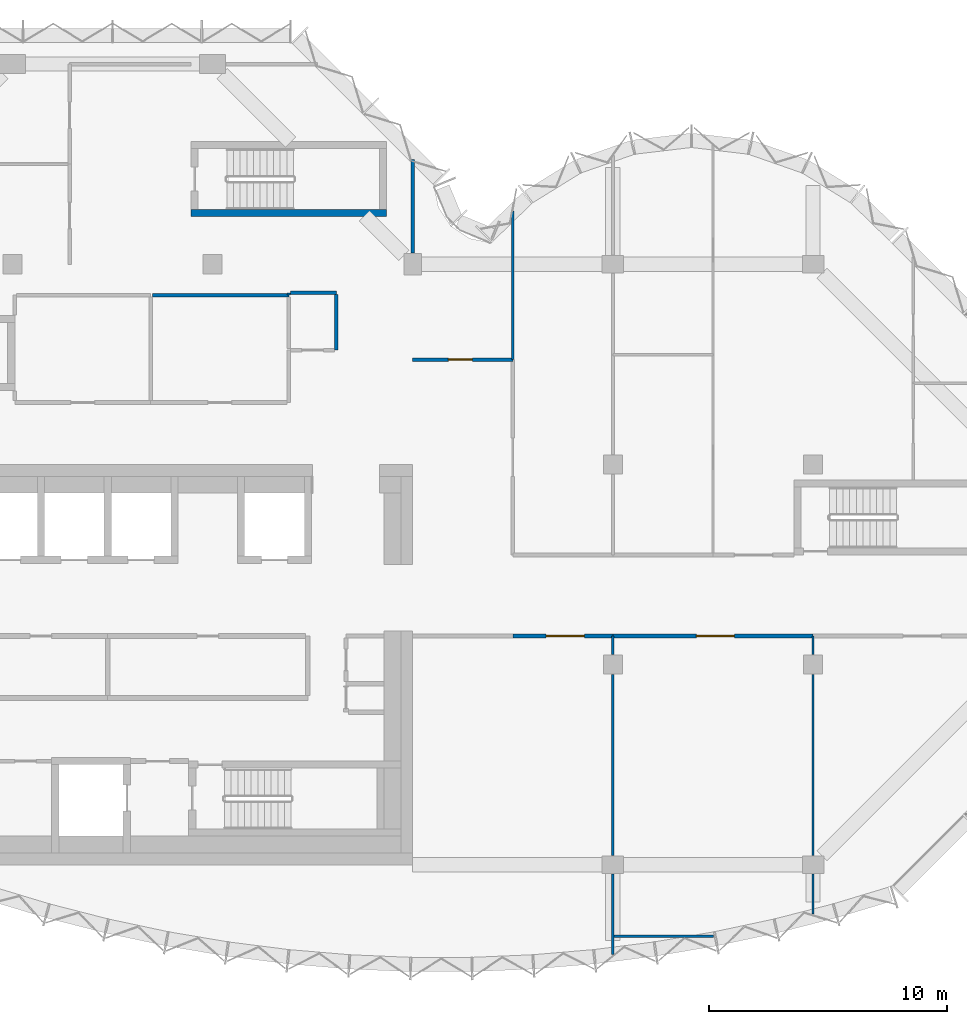
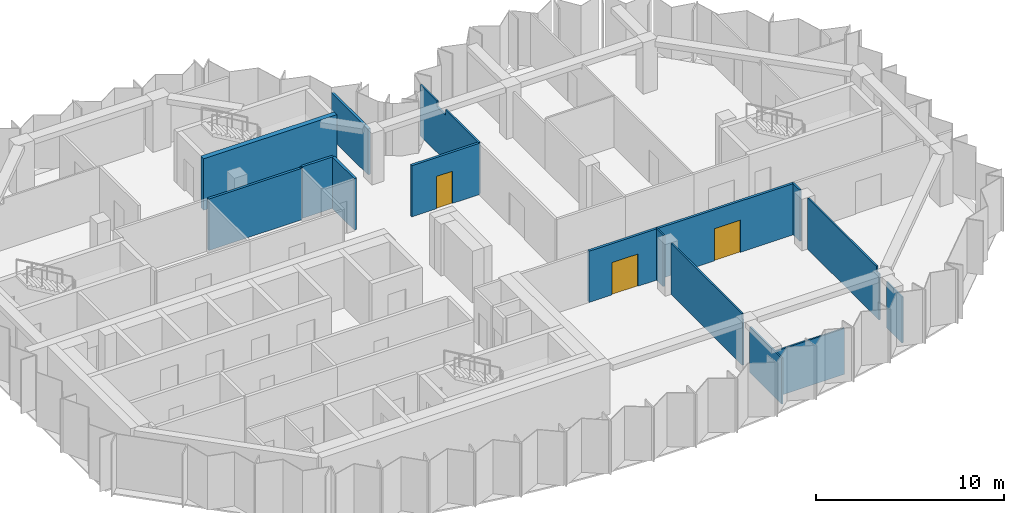
# One storey, part 6 of 10: 17 walls, 3 doors, 3 openings.
"""IFC4 building model written with IfcOpenShell, lengths in metres."""

from ifc_helpers import new_model, si_unit, direction, frame, frame_2d, origin, place, context, subcontext, project, spatial, polyline, rectangle, outline, extrude, material, layer, layer_set, type_object, element, fill, save


model = new_model("IFC4")

# Units and contexts
model_context = context("Model", 3, precision=1e-05, world=origin(), true_north=direction((0.0, 1.0)))
body_context = subcontext(model_context, "Body", "Model", "MODEL_VIEW")
ifc_project = project(units=[si_unit("LENGTHUNIT", "METRE"), si_unit("AREAUNIT", "SQUARE_METRE"), si_unit("VOLUMEUNIT", "CUBIC_METRE"), si_unit("PLANEANGLEUNIT", "RADIAN"), si_unit("MASSUNIT", "GRAM", prefix="KILO")], contexts=[model_context])

# Site, building, storey
site_placement = place(None, origin())
site = spatial("IfcSite", under=ifc_project, at=site_placement, CompositionType="ELEMENT")
building_placement = place(site_placement, origin())
building = spatial("IfcBuilding", under=site, at=building_placement, Name="Brevane Broadcast Tower", CompositionType="ELEMENT")
storey_placement = place(building_placement, frame((0.0, 0.0, 237.300048828125)))
storey = spatial("IfcBuildingStorey", under=building, at=storey_placement, Name="L60", CompositionType="ELEMENT", Elevation=237.300048828125)

# Walls
ifc_material_1 = material(Name="Gypsum board on steel studs", Category="steel")
ifc_layer_1 = layer(ifc_material_1, 0.14990234375)
ifc_layer_set_1 = layer_set([ifc_layer_1], Name="Core fire partition 150 mm")
wall_type_1 = type_object("IfcWallType", Name="Core fire partition 150 mm", PredefinedType="PARTITIONING", material=ifc_layer_set_1)
wall_1_placement = place(storey_placement, frame((14.27490234375, 23.89990234375, 0.0), z_axis=(0.0, 0.0, 1.0), x_axis=(1.0, 0.0, 0.0)))
element("IfcWall", 1, at=wall_1_placement, inside=storey, type_object=wall_type_1, Name="L60 partition wall P29", PredefinedType="PARTITIONING", context=body_context, shape_type="SweptSolid", body=[
    extrude(rectangle(XDim=5.72509765625, YDim=0.14990234375, at=frame_2d((2.862548828125, 0.0))), origin(), (0.0, 0.0, 1.0), 3.349853515625),
])
wall_2_placement = place(storey_placement, frame((20.0, 23.89990234375, 0.0), z_axis=(0.0, 0.0, 1.0), x_axis=(0.0, 1.0, 0.0)))
element("IfcWall", 2, at=wall_2_placement, inside=storey, type_object=wall_type_1, Name="L60 partition wall P30", PredefinedType="PARTITIONING", context=body_context, shape_type="SweptSolid", body=[
    extrude(rectangle(XDim=0.10009765625, YDim=0.14990234375, at=frame_2d((0.050048828125, 0.0))), origin(), (0.0, 0.0, 1.0), 3.349853515625),
])
wall_3_placement = place(storey_placement, frame((20.074951171875, 24.0, 0.0), z_axis=(0.0, 0.0, 1.0), x_axis=(1.0, 0.0, 0.0)))
element("IfcWall", 3, at=wall_3_placement, inside=storey, type_object=wall_type_1, Name="L60 partition wall P31", PredefinedType="PARTITIONING", context=body_context, shape_type="SweptSolid", body=[
    extrude(rectangle(XDim=1.925048828125, YDim=0.14990234375, at=frame_2d((0.96240234375, 0.0))), origin(), (0.0, 0.0, 1.0), 3.349853515625),
])
wall_4_placement = place(storey_placement, frame((22.0, 23.925048828125, 0.0), z_axis=(0.0, 0.0, 1.0), x_axis=(0.0, -1.0, 0.0)))
element("IfcWall", 4, at=wall_4_placement, inside=storey, type_object=wall_type_1, Name="L60 partition wall P32", PredefinedType="PARTITIONING", context=body_context, shape_type="SweptSolid", body=[
    extrude(rectangle(XDim=2.324951171875, YDim=0.14990234375, at=frame_2d((1.16259765625, 0.0))), origin(), (0.0, 0.0, 1.0), 3.349853515625),
])
ifc_material_2 = material(Name="Concrete C50/60", Category="concrete")
ifc_layer_2 = layer(ifc_material_2, 0.300048828125)
ifc_layer_set_2 = layer_set([ifc_layer_2], Name="Core wall 300 mm C50/60")
wall_type_2 = type_object("IfcWallType", Name="Core wall 300 mm C50/60", PredefinedType="SHEAR", material=ifc_layer_set_2)
wall_5_placement = place(storey_placement, frame((15.89990234375, 27.35009765625, 0.0), z_axis=(0.0, 0.0, 1.0), x_axis=(1.0, 0.0, 0.0)))
element("IfcWall", 5, at=wall_5_placement, inside=storey, type_object=wall_type_2, Name="L60 stair wall ST-3-S", PredefinedType="SHEAR", context=body_context, shape_type="SweptSolid", body=[
    extrude(rectangle(XDim=8.2001953125, YDim=0.300048828125, at=frame_2d((4.10009765625, 0.0))), origin(), (0.0, 0.0, 1.0), 3.349853515625),
])
ifc_material_3 = material(Name="Gypsum board partition")
ifc_layer_3 = layer(ifc_material_3, 0.10009765625)
ifc_layer_set_3 = layer_set([ifc_layer_3], Name="PARTITION 100 STUD")
wall_type_3 = type_object("IfcWallType", Name="PARTITION 100 STUD", PredefinedType="PARTITIONING", material=ifc_layer_set_3)
wall_6_placement = place(storey_placement, frame((29.39990234375, 27.428955078125, 0.0), z_axis=(0.0, 0.0, 1.0), x_axis=(0.0, -1.0, 0.0)))
element("IfcWall", 6, at=wall_6_placement, inside=storey, type_object=wall_type_3, Name="Partition G18-004", PredefinedType="PARTITIONING", context=body_context, shape_type="SweptSolid", body=[
    extrude(outline(polyline([(0.0, 0.0), (6.22900390625, 0.0), (6.22900390625, 3.329833984375), (2.678955078125, 3.329833984375), (2.677001953125, 2.97998046875), (1.781005859375, 2.97998046875), (1.779052734375, 3.329833984375), (0.154052734375, 3.329833984375), (0.0, 3.329833984375), (0.0, 0.0)])), frame((0.0, 0.050048828125, 0.0), z_axis=(0.0, -1.0, 0.0), x_axis=(1.0, 0.0, 0.0)), (0.0, 0.0, 1.0), 0.10009765625),
])
wall_7_placement = place(storey_placement, frame((33.60009765625, 9.60009765625, 0.0), z_axis=(0.0, 0.0, 1.0), x_axis=(0.0, -1.0, 0.0)))
element("IfcWall", 7, at=wall_7_placement, inside=storey, type_object=wall_type_3, Name="Partition G18-013", PredefinedType="PARTITIONING", context=body_context, shape_type="SweptSolid", body=[
    extrude(rectangle(XDim=0.780029296875, YDim=0.10009765625, at=frame_2d((0.39013671875, 0.0))), origin(), (0.0, 0.0, 1.0), 3.329833984375),
])
wall_8_placement = place(storey_placement, frame((33.60009765625, 7.97998046875, 0.0), z_axis=(0.0, 0.0, 1.0), x_axis=(0.0, -1.0, 0.0)))
element("IfcWall", 8, at=wall_8_placement, inside=storey, type_object=wall_type_3, Name="Partition G18-014", PredefinedType="PARTITIONING", context=body_context, shape_type="SweptSolid", body=[
    extrude(outline(polyline([(0.0, 0.0), (7.5849609375, 0.0), (7.5849609375, 2.97998046875), (7.531982421875, 2.97998046875), (7.530029296875, 3.329833984375), (0.0, 3.329833984375), (0.0, 0.0)])), frame((0.0, 0.050048828125, 0.0), z_axis=(0.0, -1.0, 0.0), x_axis=(1.0, 0.0, 0.0)), (0.0, 0.0, 1.0), 0.10009765625),
])
wall_9_placement = place(storey_placement, frame((33.60009765625, -0.39501953125, 0.0), z_axis=(0.0, 0.0, 1.0), x_axis=(0.0, -1.0, 0.0)))
element("IfcWall", 9, at=wall_9_placement, inside=storey, type_object=wall_type_3, Name="Partition G18-015", PredefinedType="PARTITIONING", context=body_context, shape_type="SweptSolid", body=[
    extrude(rectangle(XDim=3.377197265625, YDim=0.10009765625, at=frame_2d((1.6884765625, 0.0))), origin(), (0.0, 0.0, 1.0), 2.97998046875),
])
wall_10_placement = place(storey_placement, frame((33.60009765625, -3.0, 0.0), z_axis=(0.0, 0.0, 1.0), x_axis=(1.0, 0.0, 0.0)))
element("IfcWall", 10, at=wall_10_placement, inside=storey, type_object=wall_type_3, Name="Partition G18-016", PredefinedType="PARTITIONING", context=body_context, shape_type="SweptSolid", body=[
    extrude(rectangle(XDim=4.230712890625, YDim=0.10009765625, at=frame_2d((2.115234375, 0.0))), origin(), (0.0, 0.0, 1.0), 2.97998046875),
])
wall_11_placement = place(storey_placement, frame((42.0, 9.60009765625, 0.0), z_axis=(0.0, 0.0, 1.0), x_axis=(0.0, -1.0, 0.0)))
element("IfcWall", 11, at=wall_11_placement, inside=storey, type_object=wall_type_3, Name="Partition G18-017", PredefinedType="PARTITIONING", context=body_context, shape_type="SweptSolid", body=[
    extrude(rectangle(XDim=0.780029296875, YDim=0.10009765625, at=frame_2d((0.39013671875, 0.0))), origin(), (0.0, 0.0, 1.0), 3.329833984375),
])
wall_12_placement = place(storey_placement, frame((42.0, 7.97998046875, 0.0), z_axis=(0.0, 0.0, 1.0), x_axis=(0.0, -1.0, 0.0)))
element("IfcWall", 12, at=wall_12_placement, inside=storey, type_object=wall_type_3, Name="Partition G18-018", PredefinedType="PARTITIONING", context=body_context, shape_type="SweptSolid", body=[
    extrude(outline(polyline([(0.0, 0.0), (7.5849609375, 0.0), (7.5849609375, 2.97998046875), (7.31640625, 2.97998046875), (7.314208984375, 3.329833984375), (0.0, 3.329833984375), (0.0, 0.0)])), frame((0.0, 0.050048828125, 0.0), z_axis=(0.0, -1.0, 0.0), x_axis=(1.0, 0.0, 0.0)), (0.0, 0.0, 1.0), 0.10009765625),
])
wall_13_placement = place(storey_placement, frame((42.0, -0.39501953125, 0.0), z_axis=(0.0, 0.0, 1.0), x_axis=(0.0, -1.0, 0.0)))
element("IfcWall", 13, at=wall_13_placement, inside=storey, type_object=wall_type_3, Name="Partition G18-019", PredefinedType="PARTITIONING", context=body_context, shape_type="SweptSolid", body=[
    extrude(rectangle(XDim=1.673828125, YDim=0.10009765625, at=frame_2d((0.8369140625, 0.0))), origin(), (0.0, 0.0, 1.0), 2.97998046875),
])

# Wall, opening, door
ifc_layer_4 = layer(ifc_material_3, 0.14990234375)
ifc_layer_set_4 = layer_set([ifc_layer_4], Name="PARTITION 150 EI 60")
wall_type_4 = type_object("IfcWallType", Name="PARTITION 150 EI 60", PredefinedType="PARTITIONING", material=ifc_layer_set_4)
wall_14_placement = place(storey_placement, frame((25.199951171875, 21.199951171875, 0.0), z_axis=(0.0, 0.0, 1.0), x_axis=(1.0, 0.0, 0.0)))
wall_14 = element("IfcWall", 14, at=wall_14_placement, inside=storey, type_object=wall_type_4, Name="Partition G18-001", PredefinedType="PARTITIONING", context=body_context, shape_type="SweptSolid", body=[
    extrude(rectangle(XDim=4.199951171875, YDim=0.14990234375, at=frame_2d((2.10009765625, 0.0))), origin(), (0.0, 0.0, 1.0), 3.329833984375),
])
opening_1_placement = place(wall_14_placement, frame((1.5, 0.0, 0.0)))
opening_1 = element("IfcOpeningElement", 15, at=opening_1_placement, cuts=wall_14, Name="Opening D29-001", PredefinedType="OPENING", context=body_context, shape_type="SweptSolid", body=[
    extrude(rectangle(XDim=1.0, YDim=2.10009765625, at=frame_2d((0.5, 1.050048828125))), frame((0.0, 0.0849609375, 0.0), z_axis=(0.0, -1.0, 0.0), x_axis=(1.0, 0.0, 0.0)), (0.0, 0.0, 1.0), 0.169921875),
])
ifc_material_4 = material(Name="Fire-rated timber door leaf", Category="wood")
door_type_1 = type_object("IfcDoorType", Name="DOOR SINGLE 1000 FD30S", OperationType="SINGLE_SWING_LEFT", PredefinedType="DOOR", material=ifc_material_4)
door_1_placement = place(opening_1_placement, origin())
door_1 = element("IfcDoor", 16, at=door_1_placement, inside=storey, type_object=door_type_1, Name="Door D29-001", OperationType="SINGLE_SWING_LEFT", OverallHeight=2.10009765625, OverallWidth=1.0, PredefinedType="DOOR", context=body_context, shape_type="SweptSolid", body=[
    extrude(rectangle(XDim=1.0, YDim=2.10009765625, at=frame_2d((0.5, 1.050048828125))), frame((0.0, 0.02490234375, 0.0), z_axis=(0.0, -1.0, 0.0), x_axis=(1.0, 0.0, 0.0)), (0.0, 0.0, 1.0), 0.050048828125),
])
fill(opening_1, door_1)

# Wall
wall_15_placement = place(storey_placement, frame((25.199951171875, 25.669921875, 0.0), z_axis=(0.0, 0.0, 1.0), x_axis=(0.0, 1.0, 0.0)))
element("IfcWall", 17, at=wall_15_placement, inside=storey, type_object=wall_type_4, Name="Partition G18-005", PredefinedType="PARTITIONING", context=body_context, shape_type="SweptSolid", body=[
    extrude(rectangle(XDim=3.93017578125, YDim=0.14990234375, at=frame_2d((1.965087890625, 0.0))), origin(), (0.0, 0.0, 1.0), 2.97998046875),
])

# Wall, opening, door
wall_16_placement = place(storey_placement, frame((33.60009765625, 9.60009765625, 0.0), z_axis=(0.0, 0.0, 1.0), x_axis=(-1.0, 0.0, 0.0)))
wall_16 = element("IfcWall", 18, at=wall_16_placement, inside=storey, type_object=wall_type_4, Name="Partition G18-006", PredefinedType="PARTITIONING", context=body_context, shape_type="SweptSolid", body=[
    extrude(rectangle(XDim=4.2001953125, YDim=0.14990234375, at=frame_2d((2.10009765625, 0.0))), origin(), (0.0, 0.0, 1.0), 3.329833984375),
])
opening_2_placement = place(wall_16_placement, frame((1.199951171875, 0.0, 0.0)))
opening_2 = element("IfcOpeningElement", 19, at=opening_2_placement, cuts=wall_16, Name="Opening D29-002", PredefinedType="OPENING", context=body_context, shape_type="SweptSolid", body=[
    extrude(rectangle(XDim=1.60009765625, YDim=2.10009765625, at=frame_2d((0.800048828125, 1.050048828125))), frame((0.0, 0.0849609375, 0.0), z_axis=(0.0, -1.0, 0.0), x_axis=(1.0, 0.0, 0.0)), (0.0, 0.0, 1.0), 0.169921875),
])
door_type_2 = type_object("IfcDoorType", Name="DOOR DOUBLE 1600 FD30S", OperationType="DOUBLE_DOOR_SINGLE_SWING", PredefinedType="DOOR", material=ifc_material_4)
door_2_placement = place(opening_2_placement, origin())
door_2 = element("IfcDoor", 20, at=door_2_placement, inside=storey, type_object=door_type_2, Name="Door D29-002", OperationType="DOUBLE_DOOR_SINGLE_SWING", OverallHeight=2.10009765625, OverallWidth=1.60009765625, PredefinedType="DOOR", context=body_context, shape_type="SweptSolid", body=[
    extrude(rectangle(XDim=1.60009765625, YDim=2.10009765625, at=frame_2d((0.800048828125, 1.050048828125))), frame((0.0, 0.02490234375, 0.0), z_axis=(0.0, -1.0, 0.0), x_axis=(1.0, 0.0, 0.0)), (0.0, 0.0, 1.0), 0.050048828125),
])
fill(opening_2, door_2)

wall_17_placement = place(storey_placement, frame((42.0, 9.60009765625, 0.0), z_axis=(0.0, 0.0, 1.0), x_axis=(-1.0, 0.0, 0.0)))
wall_17 = element("IfcWall", 21, at=wall_17_placement, inside=storey, type_object=wall_type_4, Name="Partition G18-007", PredefinedType="PARTITIONING", context=body_context, shape_type="SweptSolid", body=[
    extrude(rectangle(XDim=8.39990234375, YDim=0.14990234375, at=frame_2d((4.199951171875, 0.0))), origin(), (0.0, 0.0, 1.0), 3.329833984375),
])
opening_3_placement = place(wall_17_placement, frame((3.300048828125, 0.0, 0.0)))
opening_3 = element("IfcOpeningElement", 22, at=opening_3_placement, cuts=wall_17, Name="Opening D29-003", PredefinedType="OPENING", context=body_context, shape_type="SweptSolid", body=[
    extrude(rectangle(XDim=1.60009765625, YDim=2.10009765625, at=frame_2d((0.800048828125, 1.050048828125))), frame((0.0, 0.0849609375, 0.0), z_axis=(0.0, -1.0, 0.0), x_axis=(1.0, 0.0, 0.0)), (0.0, 0.0, 1.0), 0.169921875),
])
door_3_placement = place(opening_3_placement, origin())
door_3 = element("IfcDoor", 23, at=door_3_placement, inside=storey, type_object=door_type_2, Name="Door D29-003", OperationType="DOUBLE_DOOR_SINGLE_SWING", OverallHeight=2.10009765625, OverallWidth=1.60009765625, PredefinedType="DOOR", context=body_context, shape_type="SweptSolid", body=[
    extrude(rectangle(XDim=1.60009765625, YDim=2.10009765625, at=frame_2d((0.800048828125, 1.050048828125))), frame((0.0, 0.02490234375, 0.0), z_axis=(0.0, -1.0, 0.0), x_axis=(1.0, 0.0, 0.0)), (0.0, 0.0, 1.0), 0.050048828125),
])
fill(opening_3, door_3)

save(model, "model.ifc")
